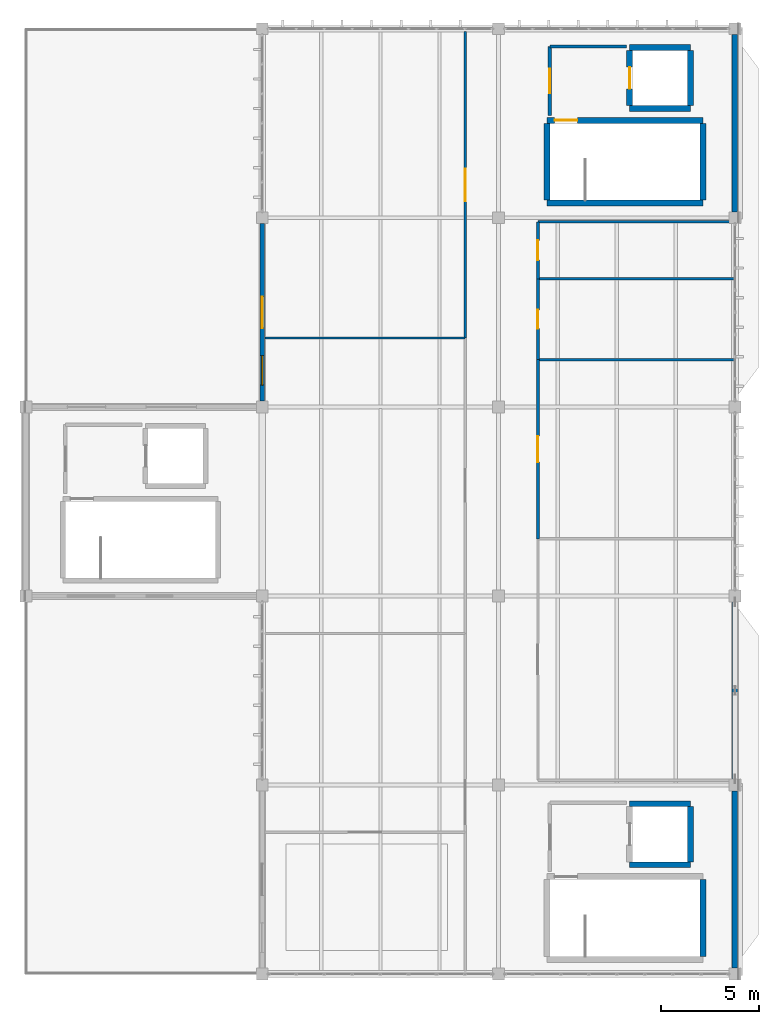
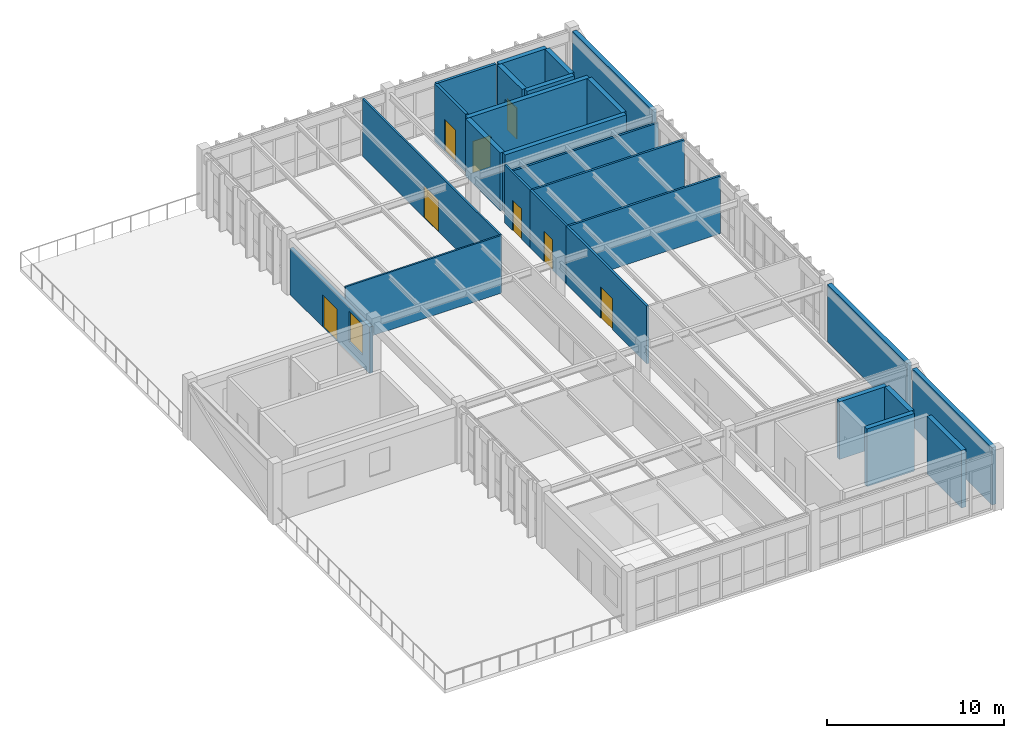
# One storey, part 27 of 28: 26 walls, 8 doors, 1 window, 9 openings.
"""IFC4 building model written with IfcOpenShell, lengths in metres."""

from ifc_helpers import new_model, si_unit, direction, frame, frame_2d, origin, place, context, subcontext, project, spatial, rectangle, extrude, material, layer, layer_set, type_object, element, fill, save


model = new_model("IFC4")

# Units and contexts
model_context = context("Model", 3, precision=1e-05, world=origin(), true_north=direction((0.0, 1.0)))
body_context = subcontext(model_context, "Body", "Model", "MODEL_VIEW")
ifc_project = project(units=[si_unit("LENGTHUNIT", "METRE"), si_unit("AREAUNIT", "SQUARE_METRE"), si_unit("VOLUMEUNIT", "CUBIC_METRE"), si_unit("PLANEANGLEUNIT", "RADIAN"), si_unit("MASSUNIT", "GRAM", prefix="KILO")], contexts=[model_context])

# Site, building, storey
site_placement = place(None, origin())
site = spatial("IfcSite", under=ifc_project, at=site_placement, CompositionType="ELEMENT")
building_placement = place(site_placement, origin())
building = spatial("IfcBuilding", under=site, at=building_placement, Name="Pandanus Reach Market Hall", CompositionType="ELEMENT")
storey_placement = place(building_placement, frame((0.0, 0.0, 18.60009765625)))
storey = spatial("IfcBuildingStorey", under=building, at=storey_placement, Name="L04", CompositionType="ELEMENT", Elevation=18.60009765625)

# Walls
ifc_material_1 = material(Name="Concrete N40 (40 MPa)", Category="concrete")
ifc_layer_1 = layer(ifc_material_1, 0.300048828125, Name="WL-CORE-300")
ifc_layer_set_1 = layer_set([ifc_layer_1], Name="Concrete N40 (40 MPa)")
wall_type_1 = type_object("IfcWallType", Name="WL-CORE-300", PredefinedType="SHEAR", material=ifc_layer_set_1)
wall_1_placement = place(storey_placement, frame((178.3701171875, 29.699951171875, 0.0), z_axis=(0.0, 0.0, 1.0), x_axis=(0.0, 1.0, 0.0)))
element("IfcWall", 1, at=wall_1_placement, inside=storey, type_object=wall_type_1, Name="Internal wall WL-CORE-300 WL-0203", PredefinedType="SHEAR", context=body_context, shape_type="SweptSolid", body=[
    extrude(rectangle(XDim=3.900146484375, YDim=0.300048828125, at=frame_2d((1.9501953125, 0.0))), origin(), (0.0, 0.0, 1.0), 3.97998046875),
])
for number, where, z_axis, x_axis, name in (
    (2, (174.64990234375, 34.35009765625, 0.0), (0.0, 0.0, 1.0), (1.0, 0.0, 0.0), "Internal wall WL-CORE-300 WL-0204"),
    (3, (174.64990234375, 37.449951171875, 0.0), (0.0, 0.0, 1.0), (1.0, 0.0, 0.0), "Internal wall WL-CORE-300 WL-0205"),
):
    element("IfcWall", number, at=place(storey_placement, frame(where, z_axis=z_axis, x_axis=x_axis)), inside=storey, type_object=wall_type_1, Name=name, PredefinedType="SHEAR", context=body_context, shape_type="SweptSolid", body=[
        extrude(rectangle(XDim=3.10009765625, YDim=0.300048828125, at=frame_2d((1.550048828125, 0.0))), origin(), (0.0, 0.0, 1.0), 3.97998046875),
    ])
wall_2_placement = place(storey_placement, frame((177.75, 34.5, 0.0), z_axis=(0.0, 0.0, 1.0), x_axis=(0.0, 1.0, 0.0)))
element("IfcWall", 4, at=wall_2_placement, inside=storey, type_object=wall_type_1, Name="Internal wall WL-CORE-300 WL-0206", PredefinedType="SHEAR", context=body_context, shape_type="SweptSolid", body=[
    extrude(rectangle(XDim=2.800048828125, YDim=0.300048828125, at=frame_2d((1.39990234375, 0.0))), origin(), (0.0, 0.0, 1.0), 3.97998046875),
])
wall_3_placement = place(storey_placement, frame((170.449951171875, 67.949951171875, 0.0), z_axis=(0.0, 0.0, 1.0), x_axis=(1.0, 0.0, 0.0)))
element("IfcWall", 5, at=wall_3_placement, inside=storey, type_object=wall_type_1, Name="Internal wall WL-CORE-300 WL-0260", PredefinedType="SHEAR", context=body_context, shape_type="SweptSolid", body=[
    extrude(rectangle(XDim=7.920166015625, YDim=0.300048828125, at=frame_2d((3.9599609375, 0.0))), origin(), (0.0, 0.0, 1.0), 3.97998046875),
])

# Wall, opening, door
wall_4_placement = place(storey_placement, frame((170.449951171875, 72.14990234375, 0.0), z_axis=(0.0, 0.0, 1.0), x_axis=(1.0, 0.0, 0.0)))
wall_4 = element("IfcWall", 6, at=wall_4_placement, inside=storey, type_object=wall_type_1, Name="Internal wall WL-CORE-300 WL-0261", PredefinedType="SHEAR", context=body_context, shape_type="SweptSolid", body=[
    extrude(rectangle(XDim=7.920166015625, YDim=0.300048828125, at=frame_2d((3.9599609375, 0.0))), origin(), (0.0, 0.0, 1.0), 3.97998046875),
])
opening_1_placement = place(wall_4_placement, frame((0.39990234375, 0.0, 0.0)))
opening_1 = element("IfcOpeningElement", 7, at=opening_1_placement, cuts=wall_4, Name="Opening DR-FD1", PredefinedType="OPENING", context=body_context, shape_type="SweptSolid", body=[
    extrude(rectangle(XDim=1.14990234375, YDim=2.14990234375, at=frame_2d((0.574951171875, 1.074951171875))), frame((0.0, 0.1650390625, 0.0), z_axis=(0.0, -1.0, 0.0), x_axis=(1.0, 0.0, 0.0)), (0.0, 0.0, 1.0), 0.330078125),
])
ifc_material_2 = material(Name="Fire-rated steel door", Category="steel")
door_type_1 = type_object("IfcDoorType", Name="DR-FD1", OperationType="NOTDEFINED", PredefinedType="DOOR", material=ifc_material_2)
door_1_placement = place(opening_1_placement, frame((1.14990234375, 0.0, 0.0), z_axis=(0.0, 0.0, 1.0), x_axis=(-1.0, 0.0, 0.0)))
door_1 = element("IfcDoor", 8, at=door_1_placement, inside=storey, type_object=door_type_1, Name="Fire stair door ST-02 L04", OperationType="SINGLE_SWING_LEFT", OverallHeight=2.14990234375, OverallWidth=1.14990234375, PredefinedType="DOOR", context=body_context, shape_type="SweptSolid", body=[
    extrude(rectangle(XDim=1.14990234375, YDim=2.14990234375, at=frame_2d((0.574951171875, 1.074951171875))), frame((0.0, 0.02490234375, 0.0), z_axis=(0.0, -1.0, 0.0), x_axis=(1.0, 0.0, 0.0)), (0.0, 0.0, 1.0), 0.050048828125),
])
fill(opening_1, door_1)

# Walls
for number, where, z_axis, x_axis, name in (
    (9, (170.449951171875, 68.10009765625, 0.0), (0.0, 0.0, 1.0), (0.0, 1.0, 0.0), "Internal wall WL-CORE-300 WL-0262"),
    (10, (178.3701171875, 68.10009765625, 0.0), (0.0, 0.0, 1.0), (0.0, 1.0, 0.0), "Internal wall WL-CORE-300 WL-0263"),
):
    element("IfcWall", number, at=place(storey_placement, frame(where, z_axis=z_axis, x_axis=x_axis)), inside=storey, type_object=wall_type_1, Name=name, PredefinedType="SHEAR", context=body_context, shape_type="SweptSolid", body=[
        extrude(rectangle(XDim=3.89990234375, YDim=0.300048828125, at=frame_2d((1.949951171875, 0.0))), origin(), (0.0, 0.0, 1.0), 3.97998046875),
    ])
for number, where, z_axis, x_axis, name in (
    (11, (174.64990234375, 72.75, 0.0), (0.0, 0.0, 1.0), (1.0, 0.0, 0.0), "Internal wall WL-CORE-300 WL-0264"),
    (12, (174.64990234375, 75.85009765625, 0.0), (0.0, 0.0, 1.0), (1.0, 0.0, 0.0), "Internal wall WL-CORE-300 WL-0265"),
):
    element("IfcWall", number, at=place(storey_placement, frame(where, z_axis=z_axis, x_axis=x_axis)), inside=storey, type_object=wall_type_1, Name=name, PredefinedType="SHEAR", context=body_context, shape_type="SweptSolid", body=[
        extrude(rectangle(XDim=3.10009765625, YDim=0.300048828125, at=frame_2d((1.550048828125, 0.0))), origin(), (0.0, 0.0, 1.0), 3.97998046875),
    ])
wall_5_placement = place(storey_placement, frame((177.75, 72.89990234375, 0.0), z_axis=(0.0, 0.0, 1.0), x_axis=(0.0, 1.0, 0.0)))
element("IfcWall", 13, at=wall_5_placement, inside=storey, type_object=wall_type_1, Name="Internal wall WL-CORE-300 WL-0266", PredefinedType="SHEAR", context=body_context, shape_type="SweptSolid", body=[
    extrude(rectangle(XDim=2.800048828125, YDim=0.300048828125, at=frame_2d((1.39990234375, 0.0))), origin(), (0.0, 0.0, 1.0), 3.97998046875),
])

# Wall, opening, door
wall_6_placement = place(storey_placement, frame((174.64990234375, 72.89990234375, 0.0), z_axis=(0.0, 0.0, 1.0), x_axis=(0.0, 1.0, 0.0)))
wall_6 = element("IfcWall", 14, at=wall_6_placement, inside=storey, type_object=wall_type_1, Name="Internal wall WL-CORE-300 WL-0267", PredefinedType="SHEAR", context=body_context, shape_type="SweptSolid", body=[
    extrude(rectangle(XDim=2.800048828125, YDim=0.300048828125, at=frame_2d((1.39990234375, 0.0))), origin(), (0.0, 0.0, 1.0), 3.97998046875),
])
opening_2_placement = place(wall_6_placement, frame((0.85009765625, 0.0, 0.0)))
opening_2 = element("IfcOpeningElement", 15, at=opening_2_placement, cuts=wall_6, Name="Opening LD-01", PredefinedType="OPENING", context=body_context, shape_type="SweptSolid", body=[
    extrude(rectangle(XDim=1.10009765625, YDim=2.14990234375, at=frame_2d((0.550048828125, 1.074951171875))), frame((0.0, 0.1650390625, 0.0), z_axis=(0.0, -1.0, 0.0), x_axis=(1.0, 0.0, 0.0)), (0.0, 0.0, 1.0), 0.330078125),
])
ifc_material_3 = material(Name="Stainless steel lift landing door", Category="steel")
door_type_2 = type_object("IfcDoorType", Name="LD-01", OperationType="SLIDING_TO_LEFT", PredefinedType="DOOR", material=ifc_material_3)
door_2_placement = place(opening_2_placement, origin())
door_2 = element("IfcDoor", 16, at=door_2_placement, inside=storey, type_object=door_type_2, Name="Lift landing door LF-02 LD-01 36", OperationType="SLIDING_TO_LEFT", OverallHeight=2.14990234375, OverallWidth=1.10009765625, PredefinedType="DOOR", context=body_context, shape_type="SweptSolid", body=[
    extrude(rectangle(XDim=1.10009765625, YDim=2.14990234375, at=frame_2d((0.550048828125, 1.074951171875))), frame((0.0, 0.02490234375, 0.0), z_axis=(0.0, -1.0, 0.0), x_axis=(1.0, 0.0, 0.0)), (0.0, 0.0, 1.0), 0.050048828125),
])
fill(opening_2, door_2)

# Wall, openings, door, window
ifc_material_4 = material(Name="Precast concrete S50 (50 MPa)", Category="concrete")
ifc_layer_2 = layer(ifc_material_4, 0.219970703125, Name="WL-EXT-220")
ifc_layer_set_2 = layer_set([ifc_layer_2], Name="Precast concrete S50 (50 MPa)")
wall_type_2 = type_object("IfcWallType", Name="WL-EXT-220", PredefinedType="SOLIDWALL", material=ifc_layer_set_2)
wall_7_placement = place(storey_placement, frame((156.0, 57.89990234375, 0.0), z_axis=(0.0, 0.0, 1.0), x_axis=(0.0, 1.0, 0.0)))
wall_7 = element("IfcWall", 17, at=wall_7_placement, inside=storey, type_object=wall_type_2, Name="External wall WL-EXT-220 WL-0113", PredefinedType="SOLIDWALL", context=body_context, shape_type="SweptSolid", body=[
    extrude(rectangle(XDim=9.0, YDim=0.219970703125, at=frame_2d((4.5, 0.0))), origin(), (0.0, 0.0, 1.0), 3.205810546875),
])
opening_3_placement = place(wall_7_placement, frame((3.699951171875, 0.0, 0.0)))
opening_3 = element("IfcOpeningElement", 18, at=opening_3_placement, cuts=wall_7, Name="Opening TD-160", PredefinedType="OPENING", context=body_context, shape_type="SweptSolid", body=[
    extrude(rectangle(XDim=1.60009765625, YDim=2.199951171875, at=frame_2d((0.800048828125, 1.10009765625))), frame((0.0, 0.125, 0.0), z_axis=(0.0, -1.0, 0.0), x_axis=(1.0, 0.0, 0.0)), (0.0, 0.0, 1.0), 0.25),
])
opening_4_placement = place(wall_7_placement, frame((0.800048828125, 0.0, 0.800048828125)))
opening_4 = element("IfcOpeningElement", 19, at=opening_4_placement, cuts=wall_7, Name="Opening WN-10", PredefinedType="OPENING", context=body_context, shape_type="SweptSolid", body=[
    extrude(rectangle(XDim=1.5, YDim=2.10009765625, at=frame_2d((0.75, 1.050048828125))), frame((0.0, 0.125, 0.0), z_axis=(0.0, -1.0, 0.0), x_axis=(1.0, 0.0, 0.0)), (0.0, 0.0, 1.0), 0.25),
])
ifc_material_5 = material(Name="Bronze anodised aluminium", Category="aluminium")
door_type_3 = type_object("IfcDoorType", Name="TD-160", OperationType="DOUBLE_DOOR_SINGLE_SWING", PredefinedType="DOOR", material=ifc_material_5)
door_3_placement = place(opening_3_placement, origin())
door_3 = element("IfcDoor", 20, at=door_3_placement, inside=storey, type_object=door_type_3, Name="Kitchen garden terrace door L04 TD-160 38", OperationType="DOUBLE_DOOR_SINGLE_SWING", OverallHeight=2.199951171875, OverallWidth=1.60009765625, PredefinedType="DOOR", context=body_context, shape_type="SweptSolid", body=[
    extrude(rectangle(XDim=1.60009765625, YDim=2.199951171875, at=frame_2d((0.800048828125, 1.10009765625))), frame((0.0, 0.02490234375, 0.0), z_axis=(0.0, -1.0, 0.0), x_axis=(1.0, 0.0, 0.0)), (0.0, 0.0, 1.0), 0.050048828125),
])
fill(opening_3, door_3)
ifc_material_6 = material(Name="Solar-control double glazing", Category="glass")
window_type = type_object("IfcWindowType", Name="WN-10", PartitioningType="SINGLE_PANEL", PredefinedType="WINDOW", material=ifc_material_6)
window_placement = place(opening_4_placement, origin())
window = element("IfcWindow", 21, at=window_placement, inside=storey, type_object=window_type, Name="Window WN-10 53", OverallHeight=2.10009765625, OverallWidth=1.5, PartitioningType="SINGLE_PANEL", PredefinedType="WINDOW", context=body_context, shape_type="SweptSolid", body=[
    extrude(rectangle(XDim=1.5, YDim=2.10009765625, at=frame_2d((0.75, 1.050048828125))), frame((0.0, 0.030029296875, 0.0), z_axis=(0.0, -1.0, 0.0), x_axis=(1.0, 0.0, 0.0)), (0.0, 0.0, 1.0), 0.06005859375),
])
fill(opening_4, window)

# Walls
ifc_layer_3 = layer(ifc_material_4, 0.280029296875, Name="WL-EXT-280")
ifc_layer_set_3 = layer_set([ifc_layer_3], Name="Precast concrete S50 (50 MPa)")
wall_type_3 = type_object("IfcWallType", Name="WL-EXT-280", PredefinedType="SOLIDWALL", material=ifc_layer_set_3)
for number, where, z_axis, x_axis, name in (
    (22, (180.0, 29.10009765625, 0.0), (0.0, 0.0, 1.0), (0.0, 1.0, 0.0), "External wall WL-EXT-280 WL-0109"),
    (23, (180.0, 38.699951171875, 0.0), (0.0, 0.0, 1.0), (0.0, 1.0, 0.0), "External wall WL-EXT-280 WL-0110"),
    (24, (180.0, 67.5, 0.0), (0.0, 0.0, 1.0), (0.0, 1.0, 0.0), "External wall WL-EXT-280 WL-0111"),
):
    element("IfcWall", number, at=place(storey_placement, frame(where, z_axis=z_axis, x_axis=x_axis)), inside=storey, type_object=wall_type_3, Name=name, PredefinedType="SOLIDWALL", context=body_context, shape_type="SweptSolid", body=[
        extrude(rectangle(XDim=9.0, YDim=0.280029296875, at=frame_2d((4.5, 0.0))), origin(), (0.0, 0.0, 1.0), 3.949951171875),
    ])

# Wall, opening, door
ifc_layer_4 = layer(ifc_material_1, 0.175048828125, Name="WL-LOB-175")
ifc_layer_set_4 = layer_set([ifc_layer_4], Name="Concrete N40 (40 MPa)")
wall_type_4 = type_object("IfcWallType", Name="WL-LOB-175", PredefinedType="PARTITIONING", material=ifc_layer_set_4)
wall_8_placement = place(storey_placement, frame((170.60009765625, 72.39990234375, 0.0), z_axis=(0.0, 0.0, 1.0), x_axis=(0.0, 1.0, 0.0)))
wall_8 = element("IfcWall", 25, at=wall_8_placement, inside=storey, type_object=wall_type_4, Name="Internal wall WL-LOB-175 WL-0268", PredefinedType="PARTITIONING", context=body_context, shape_type="SweptSolid", body=[
    extrude(rectangle(XDim=3.5, YDim=0.175048828125, at=frame_2d((1.75, 0.0))), origin(), (0.0, 0.0, 1.0), 3.97998046875),
])
opening_5_placement = place(wall_8_placement, frame((1.125, 0.0, 0.0)))
opening_5 = element("IfcOpeningElement", 26, at=opening_5_placement, cuts=wall_8, Name="Opening DR-FD2", PredefinedType="OPENING", context=body_context, shape_type="SweptSolid", body=[
    extrude(rectangle(XDim=1.25, YDim=2.199951171875, at=frame_2d((0.625, 1.10009765625))), frame((0.0, 0.1025390625, 0.0), z_axis=(0.0, -1.0, 0.0), x_axis=(1.0, 0.0, 0.0)), (0.0, 0.0, 1.0), 0.205078125),
])
door_type_4 = type_object("IfcDoorType", Name="DR-FD2", OperationType="NOTDEFINED", PredefinedType="DOOR", material=ifc_material_2)
door_4_placement = place(opening_5_placement, frame((1.25, 0.0, 0.0), z_axis=(0.0, 0.0, 1.0), x_axis=(-1.0, 0.0, 0.0)))
door_4 = element("IfcDoor", 27, at=door_4_placement, inside=storey, type_object=door_type_4, Name="Core C2 lobby fire door DR-FD2 37", OperationType="SINGLE_SWING_RIGHT", OverallHeight=2.199951171875, OverallWidth=1.25, PredefinedType="DOOR", context=body_context, shape_type="SweptSolid", body=[
    extrude(rectangle(XDim=1.25, YDim=2.199951171875, at=frame_2d((0.625, 1.10009765625))), frame((0.0, 0.02490234375, 0.0), z_axis=(0.0, -1.0, 0.0), x_axis=(1.0, 0.0, 0.0)), (0.0, 0.0, 1.0), 0.050048828125),
])
fill(opening_5, door_4)

# Walls
wall_9_placement = place(storey_placement, frame((170.60009765625, 75.89990234375, 0.0), z_axis=(0.0, 0.0, 1.0), x_axis=(1.0, 0.0, 0.0)))
element("IfcWall", 28, at=wall_9_placement, inside=storey, type_object=wall_type_4, Name="Internal wall WL-LOB-175 WL-0269", PredefinedType="PARTITIONING", context=body_context, shape_type="SweptSolid", body=[
    extrude(rectangle(XDim=3.89990234375, YDim=0.175048828125, at=frame_2d((1.949951171875, 0.0))), origin(), (0.0, 0.0, 1.0), 3.97998046875),
])
ifc_material_7 = material(Name="Acoustic operable timber-clad partition", Category="wood")
ifc_layer_5 = layer(ifc_material_7, 0.110107421875, Name="WL-MOV-110")
ifc_layer_set_5 = layer_set([ifc_layer_5], Name="Acoustic operable timber-clad partition")
wall_type_5 = type_object("IfcWallType", Name="WL-MOV-110", PredefinedType="MOVABLE", material=ifc_layer_set_5)
wall_10_placement = place(storey_placement, frame((156.14990234375, 61.10009765625, 0.0), z_axis=(0.0, 0.0, 1.0), x_axis=(1.0, 0.0, 0.0)))
element("IfcWall", 29, at=wall_10_placement, inside=storey, type_object=wall_type_5, Name="Internal wall WL-MOV-110 WL-0585", PredefinedType="MOVABLE", context=body_context, shape_type="SweptSolid", body=[
    extrude(rectangle(XDim=10.150146484375, YDim=0.110107421875, at=frame_2d((5.0751953125, 0.0))), origin(), (0.0, 0.0, 1.0), 3.97998046875),
])

# Wall, opening, door
ifc_material_8 = material(Name="Lightweight plasterboard stud partition", Category="gypsum")
ifc_layer_6 = layer(ifc_material_8, 0.1201171875, Name="WL-PRT-120")
ifc_layer_set_6 = layer_set([ifc_layer_6], Name="Lightweight plasterboard stud partition")
wall_type_6 = type_object("IfcWallType", Name="WL-PRT-120", PredefinedType="PARTITIONING", material=ifc_layer_set_6)
wall_11_placement = place(storey_placement, frame((166.300048828125, 61.10009765625, 0.0), z_axis=(0.0, 0.0, 1.0), x_axis=(0.0, 1.0, 0.0)))
wall_11 = element("IfcWall", 30, at=wall_11_placement, inside=storey, type_object=wall_type_6, Name="Internal wall WL-PRT-120 WL-0583", PredefinedType="PARTITIONING", context=body_context, shape_type="SweptSolid", body=[
    extrude(rectangle(XDim=15.5498046875, YDim=0.1201171875, at=frame_2d((7.77490234375, 0.0))), origin(), (0.0, 0.0, 1.0), 3.97998046875),
])
opening_6_placement = place(wall_11_placement, frame((6.949951171875, 0.0, 0.0)))
opening_6 = element("IfcOpeningElement", 31, at=opening_6_placement, cuts=wall_11, Name="Opening DR-I16", PredefinedType="OPENING", context=body_context, shape_type="SweptSolid", body=[
    extrude(rectangle(XDim=1.64990234375, YDim=2.199951171875, at=frame_2d((0.824951171875, 1.10009765625))), frame((0.0, 0.074951171875, 0.0), z_axis=(0.0, -1.0, 0.0), x_axis=(1.0, 0.0, 0.0)), (0.0, 0.0, 1.0), 0.150146484375),
])
ifc_material_9 = material(Name="Double glazed culinary studio door")
door_type_5 = type_object("IfcDoorType", Name="DR-I16", OperationType="DOUBLE_DOOR_SINGLE_SWING", PredefinedType="DOOR", material=ifc_material_9)
door_5_placement = place(opening_6_placement, origin())
door_5 = element("IfcDoor", 32, at=door_5_placement, inside=storey, type_object=door_type_5, Name="Chef conservatory door DR-I16 175", OperationType="DOUBLE_DOOR_SINGLE_SWING", OverallHeight=2.199951171875, OverallWidth=1.64990234375, PredefinedType="DOOR", context=body_context, shape_type="SweptSolid", body=[
    extrude(rectangle(XDim=1.64990234375, YDim=2.199951171875, at=frame_2d((0.824951171875, 1.10009765625))), frame((0.0, 0.02490234375, 0.0), z_axis=(0.0, -1.0, 0.0), x_axis=(1.0, 0.0, 0.0)), (0.0, 0.0, 1.0), 0.050048828125),
])
fill(opening_6, door_5)

# Walls
ifc_material_10 = material(Name="Moisture-resistant plasterboard partition", Category="gypsum")
ifc_layer_7 = layer(ifc_material_10, 0.135009765625, Name="WL-PRT-135")
ifc_layer_set_7 = layer_set([ifc_layer_7], Name="Moisture-resistant plasterboard partition")
wall_type_7 = type_object("IfcWallType", Name="WL-PRT-135", PredefinedType="PARTITIONING", material=ifc_layer_set_7)
for number, where, z_axis, x_axis, name in (
    (33, (170.0, 60.0, 0.0), (0.0, 0.0, 1.0), (1.0, 0.0, 0.0), "Internal wall WL-PRT-135 WL-0591"),
    (34, (170.0, 64.10009765625, 0.0), (0.0, 0.0, 1.0), (1.0, 0.0, 0.0), "Internal wall WL-PRT-135 WL-0592"),
):
    element("IfcWall", number, at=place(storey_placement, frame(where, z_axis=z_axis, x_axis=x_axis)), inside=storey, type_object=wall_type_7, Name=name, PredefinedType="PARTITIONING", context=body_context, shape_type="SweptSolid", body=[
        extrude(rectangle(XDim=9.9599609375, YDim=0.135009765625, at=frame_2d((4.97998046875, 0.0))), origin(), (0.0, 0.0, 1.0), 3.97998046875),
    ])
wall_12_placement = place(storey_placement, frame((170.0, 67.0, 0.0), z_axis=(0.0, 0.0, 1.0), x_axis=(1.0, 0.0, 0.0)))
element("IfcWall", 35, at=wall_12_placement, inside=storey, type_object=wall_type_7, Name="Internal wall WL-PRT-135 WL-0593", PredefinedType="PARTITIONING", context=body_context, shape_type="SweptSolid", body=[
    extrude(rectangle(XDim=9.9599609375, YDim=0.135009765625, at=frame_2d((4.97998046875, 0.0))), origin(), (0.0, 0.0, 1.0), 3.3974609375),
])

# Wall, opening, door
wall_13_placement = place(storey_placement, frame((170.0, 60.0, 0.0), z_axis=(0.0, 0.0, 1.0), x_axis=(0.0, 1.0, 0.0)))
wall_13 = element("IfcWall", 36, at=wall_13_placement, inside=storey, type_object=wall_type_7, Name="Internal wall WL-PRT-135 WL-0594", PredefinedType="PARTITIONING", context=body_context, shape_type="SweptSolid", body=[
    extrude(rectangle(XDim=4.10009765625, YDim=0.135009765625, at=frame_2d((2.050048828125, 0.0))), origin(), (0.0, 0.0, 1.0), 3.97998046875),
])
opening_7_placement = place(wall_13_placement, frame((1.574951171875, 0.0, 0.0)))
opening_7 = element("IfcOpeningElement", 37, at=opening_7_placement, cuts=wall_13, Name="Opening DR-I09", PredefinedType="OPENING", context=body_context, shape_type="SweptSolid", body=[
    extrude(rectangle(XDim=0.949951171875, YDim=2.10009765625, at=frame_2d((0.47509765625, 1.050048828125))), frame((0.0, 0.08251953125, 0.0), z_axis=(0.0, -1.0, 0.0), x_axis=(1.0, 0.0, 0.0)), (0.0, 0.0, 1.0), 0.1650390625),
])
ifc_material_11 = material(Name="Solid-core hardwood timber door", Category="wood")
door_type_6 = type_object("IfcDoorType", Name="DR-I09", OperationType="NOTDEFINED", PredefinedType="DOOR", material=ifc_material_11)
door_6_placement = place(opening_7_placement, origin())
door_6 = element("IfcDoor", 38, at=door_6_placement, inside=storey, type_object=door_type_6, Name="L04 WC door DR-I09 179", OperationType="SINGLE_SWING_RIGHT", OverallHeight=2.10009765625, OverallWidth=0.949951171875, PredefinedType="DOOR", context=body_context, shape_type="SweptSolid", body=[
    extrude(rectangle(XDim=0.949951171875, YDim=2.10009765625, at=frame_2d((0.47509765625, 1.050048828125))), frame((0.0, 0.02490234375, 0.0), z_axis=(0.0, -1.0, 0.0), x_axis=(1.0, 0.0, 0.0)), (0.0, 0.0, 1.0), 0.050048828125),
])
fill(opening_7, door_6)

wall_14_placement = place(storey_placement, frame((170.0, 64.10009765625, 0.0), z_axis=(0.0, 0.0, 1.0), x_axis=(0.0, 1.0, 0.0)))
wall_14 = element("IfcWall", 39, at=wall_14_placement, inside=storey, type_object=wall_type_7, Name="Internal wall WL-PRT-135 WL-0595", PredefinedType="PARTITIONING", context=body_context, shape_type="SweptSolid", body=[
    extrude(rectangle(XDim=2.89990234375, YDim=0.135009765625, at=frame_2d((1.449951171875, 0.0))), origin(), (0.0, 0.0, 1.0), 3.97998046875),
])
opening_8_placement = place(wall_14_placement, frame((0.949951171875, 0.0, 0.0)))
opening_8 = element("IfcOpeningElement", 40, at=opening_8_placement, cuts=wall_14, Name="Opening DR-I10", PredefinedType="OPENING", context=body_context, shape_type="SweptSolid", body=[
    extrude(rectangle(XDim=1.0, YDim=2.10009765625, at=frame_2d((0.5, 1.050048828125))), frame((0.0, 0.08251953125, 0.0), z_axis=(0.0, -1.0, 0.0), x_axis=(1.0, 0.0, 0.0)), (0.0, 0.0, 1.0), 0.1650390625),
])
ifc_material_12 = material(Name="Accessible unisex WC timber door", Category="wood")
door_type_7 = type_object("IfcDoorType", Name="DR-I10", OperationType="NOTDEFINED", PredefinedType="DOOR", material=ifc_material_12)
door_7_placement = place(opening_8_placement, origin())
door_7 = element("IfcDoor", 41, at=door_7_placement, inside=storey, type_object=door_type_7, Name="L04 accessible WC door DR-I10 180", OperationType="SINGLE_SWING_LEFT", OverallHeight=2.10009765625, OverallWidth=1.0, PredefinedType="DOOR", context=body_context, shape_type="SweptSolid", body=[
    extrude(rectangle(XDim=1.0, YDim=2.10009765625, at=frame_2d((0.5, 1.050048828125))), frame((0.0, 0.02490234375, 0.0), z_axis=(0.0, -1.0, 0.0), x_axis=(1.0, 0.0, 0.0)), (0.0, 0.0, 1.0), 0.050048828125),
])
fill(opening_8, door_7)

ifc_material_13 = material(Name="Acoustic plasterboard on steel framing", Category="steel")
ifc_layer_8 = layer(ifc_material_13, 0.14990234375, Name="WL-PRT-150")
ifc_layer_set_8 = layer_set([ifc_layer_8], Name="Acoustic plasterboard on steel framing")
wall_type_8 = type_object("IfcWallType", Name="WL-PRT-150", PredefinedType="PARTITIONING", material=ifc_layer_set_8)
wall_15_placement = place(storey_placement, frame((170.0, 50.89990234375, 0.0), z_axis=(0.0, 0.0, 1.0), x_axis=(0.0, 1.0, 0.0)))
wall_15 = element("IfcWall", 42, at=wall_15_placement, inside=storey, type_object=wall_type_8, Name="Internal wall WL-PRT-150 WL-0590", PredefinedType="PARTITIONING", context=body_context, shape_type="SweptSolid", body=[
    extrude(rectangle(XDim=9.10009765625, YDim=0.14990234375, at=frame_2d((4.550048828125, 0.0))), origin(), (0.0, 0.0, 1.0), 3.97998046875),
])
opening_9_placement = place(wall_15_placement, frame((3.889892578125, 0.0, 0.0)))
opening_9 = element("IfcOpeningElement", 43, at=opening_9_placement, cuts=wall_15, Name="Opening DR-I13", PredefinedType="OPENING", context=body_context, shape_type="SweptSolid", body=[
    extrude(rectangle(XDim=1.320068359375, YDim=2.14990234375, at=frame_2d((0.66015625, 1.074951171875))), frame((0.0, 0.08984375, 0.0), z_axis=(0.0, -1.0, 0.0), x_axis=(1.0, 0.0, 0.0)), (0.0, 0.0, 1.0), 0.179931640625),
])
ifc_material_14 = material(Name="Pastry and plating kitchen pass door")
door_type_8 = type_object("IfcDoorType", Name="DR-I13", OperationType="NOTDEFINED", PredefinedType="DOOR", material=ifc_material_14)
door_8_placement = place(opening_9_placement, origin())
door_8 = element("IfcDoor", 44, at=door_8_placement, inside=storey, type_object=door_type_8, Name="Finishing plating kitchen door DR-I13 178", OperationType="SINGLE_SWING_LEFT", OverallHeight=2.14990234375, OverallWidth=1.320068359375, PredefinedType="DOOR", context=body_context, shape_type="SweptSolid", body=[
    extrude(rectangle(XDim=1.320068359375, YDim=2.14990234375, at=frame_2d((0.66015625, 1.074951171875))), frame((0.0, 0.02490234375, 0.0), z_axis=(0.0, -1.0, 0.0), x_axis=(1.0, 0.0, 0.0)), (0.0, 0.0, 1.0), 0.050048828125),
])
fill(opening_9, door_8)

save(model, "model.ifc")
